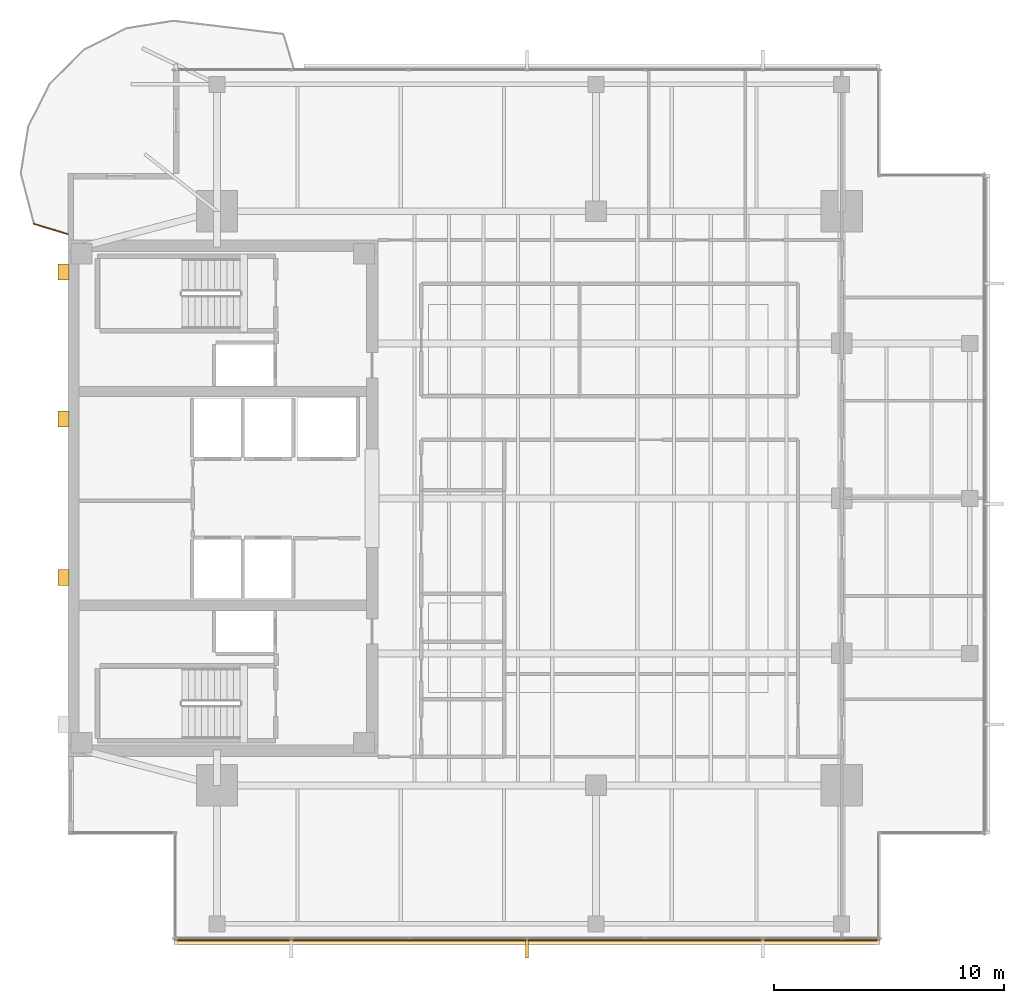
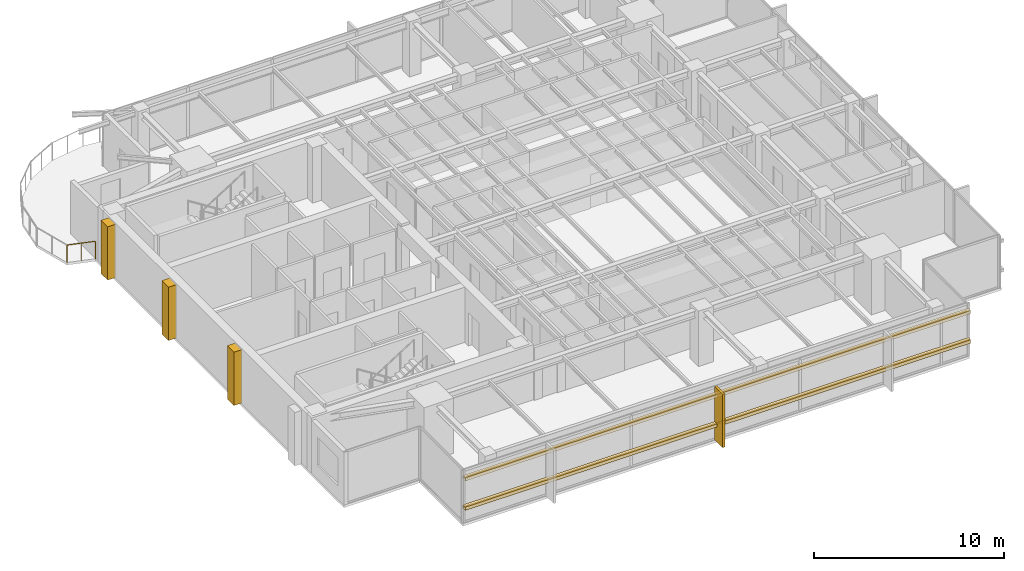
# One storey, part 12 of 14: 6 coverings, 2 shading devices, 1 railing.
"""IFC4 building model written with IfcOpenShell, lengths in metres."""

import ifcopenshell
import ifcopenshell.guid

model = None  # the IFC model being written
_history = None  # IfcOwnerHistory: only IFC2X3 demands one
_inside = {}  # id of a spatial element -> (the spatial element, [elements in it])
_under = {}  # id of a project, library or spatial element -> (it, [spatial elements below it])
_declared = {}  # id of a project -> (the project, [libraries it declares])
_typed = {}  # id of a type object -> (the type object, [elements of that type])
_made_of = {}  # id of a material, layer set ... -> (it, [elements and type objects made of it])


def new_model(schema):
    """Start an empty IFC model of exactly this schema.

    Asked for "IFC4X3", IfcOpenShell would pick the latest addendum, in which some entities
    have other attributes; the version numbers below select the first issue.
    IFC2X3 requires an IfcOwnerHistory on every rooted entity: one is made here for all.
    """
    global model, _history
    if schema == "IFC4X3":
        model = ifcopenshell.file(schema_version=(4, 3, 0, 0))
    else:
        model = ifcopenshell.file(schema=schema)
    _inside.clear()
    _under.clear()
    _declared.clear()
    _typed.clear()
    _made_of.clear()
    _history = None
    if model.schema == "IFC2X3":
        org = make("IfcOrganization", Name="unknown")
        user = make(
            "IfcPersonAndOrganization",
            ThePerson=make("IfcPerson", FamilyName="unknown"),
            TheOrganization=org,
        )
        app = make(
            "IfcApplication",
            ApplicationDeveloper=org,
            Version="unknown",
            ApplicationFullName="unknown",
            ApplicationIdentifier="unknown",
        )
        _history = make(
            "IfcOwnerHistory",
            OwningUser=user,
            OwningApplication=app,
            ChangeAction="ADDED",
            CreationDate=0,
        )
    return model


def make(cls, **values):
    """One entity of the class cls with the attributes given. An attribute that is None is left unset."""
    return model.create_entity(
        cls, **{name: value for name, value in values.items() if value is not None}
    )


def rooted(cls, **values):
    """An entity with a GlobalId (a new one), such as an element, a storey or a relation."""
    return make(cls, GlobalId=ifcopenshell.guid.new(), OwnerHistory=_history, **values)


def si_unit(unit_type, name, prefix=None):
    """IfcSIUnit, for example si_unit("LENGTHUNIT", "METRE", prefix="MILLI")."""
    return make("IfcSIUnit", UnitType=unit_type, Prefix=prefix, Name=name)


def assignment(units):
    """IfcUnitAssignment: the units of a project."""
    return None if units is None else make("IfcUnitAssignment", Units=units)


def point(xyz):
    """IfcCartesianPoint."""
    return None if xyz is None else make("IfcCartesianPoint", Coordinates=xyz)


def direction(xyz):
    """IfcDirection."""
    return None if xyz is None else make("IfcDirection", DirectionRatios=xyz)


def frame(location, z_axis=None, x_axis=None):
    """IfcAxis2Placement3D, a coordinate frame: its origin and axes. An axis left out is left unset."""
    return make(
        "IfcAxis2Placement3D",
        Location=point(location),
        Axis=direction(z_axis),
        RefDirection=direction(x_axis),
    )


def frame_2d(location, x_axis=None):
    """IfcAxis2Placement2D, a coordinate frame in the plane: its origin and x axis."""
    return make(
        "IfcAxis2Placement2D", Location=point(location), RefDirection=direction(x_axis)
    )


def origin():
    """The frame at (0, 0, 0) with its axes left unset."""
    return frame((0.0, 0.0, 0.0))


def origin_2d():
    """The frame at (0, 0) in the plane with its x axis left unset."""
    return frame_2d((0.0, 0.0))


def place(relative_to, where):
    """IfcLocalPlacement: puts the frame where relative to a parent placement (None: the world)."""
    return make(
        "IfcLocalPlacement", PlacementRelTo=relative_to, RelativePlacement=where
    )


def context(
    kind, dimensions, precision=None, world=None, true_north=None, identifier=None
):
    """IfcGeometricRepresentationContext, for example the 3D "Model" context."""
    return make(
        "IfcGeometricRepresentationContext",
        ContextIdentifier=identifier,
        ContextType=kind,
        CoordinateSpaceDimension=dimensions,
        Precision=precision,
        WorldCoordinateSystem=world,
        TrueNorth=true_north,
    )


def subcontext(parent, identifier, kind, view, scale=None):
    """IfcGeometricRepresentationSubContext, for example "Body" below "Model"."""
    return make(
        "IfcGeometricRepresentationSubContext",
        ContextIdentifier=identifier,
        ContextType=kind,
        ParentContext=parent,
        TargetScale=scale,
        TargetView=view,
    )


def project(units=None, contexts=None):
    """IfcProject with its units and contexts."""
    return rooted(
        "IfcProject",
        Name="project",
        RepresentationContexts=contexts,
        UnitsInContext=assignment(units),
    )


def spatial(cls, under=None, at=None, **own):
    """A site, building, storey or space (cls), placed at a placement, below another one or the project."""
    s = rooted(cls, ObjectPlacement=at, **own)
    if under is not None:
        _under.setdefault(under.id(), (under, []))[1].append(s)
    return s


def polyline(points):
    """IfcPolyline through the points."""
    return make("IfcPolyline", Points=[point(p) for p in points])


def profile(cls, at=None, kind="AREA", **sizes):
    """A parametric profile (cls). Its sizes go by their IFC names, for example OverallWidth=200.0."""
    return make(cls, ProfileType=kind, Position=at, **sizes)


def rectangle(**sizes):
    """IfcRectangleProfileDef."""
    return profile("IfcRectangleProfileDef", **sizes)


def circle(**sizes):
    """IfcCircleProfileDef."""
    return profile("IfcCircleProfileDef", **sizes)


def outline(outer, holes=None, kind="AREA"):
    """IfcArbitraryClosedProfileDef: a profile drawn as a closed curve; with holes, ...WithVoids."""
    if holes is None:
        return make("IfcArbitraryClosedProfileDef", ProfileType=kind, OuterCurve=outer)
    return make(
        "IfcArbitraryProfileDefWithVoids",
        ProfileType=kind,
        OuterCurve=outer,
        InnerCurves=holes,
    )


def extrude(swept, where, along, depth):
    """IfcExtrudedAreaSolid: the profile swept, set in the frame where, extruded along a direction by depth."""
    return make(
        "IfcExtrudedAreaSolid",
        SweptArea=swept,
        Position=where,
        ExtrudedDirection=direction(along),
        Depth=depth,
    )


def shape(context_of_items, identifier, shape_type, items):
    """IfcShapeRepresentation: the items that make up one representation, for example the "Body"."""
    return make(
        "IfcShapeRepresentation",
        ContextOfItems=context_of_items,
        RepresentationIdentifier=identifier,
        RepresentationType=shape_type,
        Items=items,
    )


def material(Name=None, Category=None):
    """IfcMaterial."""
    return make("IfcMaterial", Name=Name, Category=Category)


def layer(
    of_material, thickness, ventilated=None, Name=None, Category=None, Priority=None
):
    """IfcMaterialLayer: one layer of a wall or slab, of a material (None: an air gap)."""
    return make(
        "IfcMaterialLayer",
        Material=of_material,
        LayerThickness=thickness,
        IsVentilated=ventilated,
        Name=Name,
        Category=Category,
        Priority=Priority,
    )


def layer_set(layers, Name=None):
    """IfcMaterialLayerSet."""
    return make("IfcMaterialLayerSet", MaterialLayers=layers, LayerSetName=Name)


def material_profile(
    of_material, cross_section, Name=None, Category=None, Priority=None
):
    """IfcMaterialProfile: a cross section and its material."""
    return make(
        "IfcMaterialProfile",
        Name=Name,
        Material=of_material,
        Profile=cross_section,
        Priority=Priority,
        Category=Category,
    )


def profile_set(profiles, Name=None, composite=None):
    """IfcMaterialProfileSet."""
    return make(
        "IfcMaterialProfileSet",
        Name=Name,
        MaterialProfiles=profiles,
        CompositeProfile=composite,
    )


def made_of(thing, what):
    """Note that an element or type object is made of a material, layer set ...; save() writes the relation."""
    if what is not None:
        _made_of.setdefault(what.id(), (what, []))[1].append(thing)
    return thing


def type_object(cls, material=None, **own):
    """A type object (cls), such as IfcWallType, which elements share."""
    return made_of(rooted(cls, **own), material)


def element(
    cls,
    number,
    at=None,
    inside=None,
    cuts=None,
    type_object=None,
    material=None,
    context=None,
    identifier="Body",
    shape_type=None,
    held_by="IfcProductDefinitionShape",
    body=None,
    shapes=None,
    **own,
):
    """One element of the class cls, such as IfcWall. Its Tag is "e" and its number.

    at: its placement. inside: the storey or other place that contains it. cuts: it is an
    opening in that element (IfcRelVoidsElement). A single representation is given by context,
    identifier, shape_type and body (its items); several are given by shapes. held_by: the class
    of the entity that holds the representations. save() writes the other relations.
    """
    e = rooted(cls, Tag="e%d" % number, ObjectPlacement=at, **own)
    if body is not None:
        shapes = [shape(context, identifier, shape_type, body)]
    if shapes is not None:
        e.Representation = make(held_by, Representations=shapes)
    if inside is not None:
        _inside.setdefault(inside.id(), (inside, []))[1].append(e)
    if cuts is not None:
        rooted(
            "IfcRelVoidsElement", RelatingBuildingElement=cuts, RelatedOpeningElement=e
        )
    if type_object is not None:
        _typed.setdefault(type_object.id(), (type_object, []))[1].append(e)
    return made_of(e, material)


def aggregate(whole, parts):
    """IfcRelAggregates: a whole, such as a stair, and the parts it consists of."""
    return rooted("IfcRelAggregates", RelatingObject=whole, RelatedObjects=parts)


def save(model, path):
    """Write the relations noted so far, then the file.

    IfcRelAggregates (storeys below a building ...), IfcRelContainedInSpatialStructure (elements
    in a storey), IfcRelDefinesByType, IfcRelAssociatesMaterial and IfcRelDeclares: one each for
    every whole, place, type object, material and project.
    """
    for whole, parts in _under.values():
        aggregate(whole, parts)
    for where, things in _inside.values():
        rooted(
            "IfcRelContainedInSpatialStructure",
            RelatedElements=things,
            RelatingStructure=where,
        )
    for kind, things in _typed.values():
        rooted("IfcRelDefinesByType", RelatedObjects=things, RelatingType=kind)
    for what, things in _made_of.values():
        rooted("IfcRelAssociatesMaterial", RelatedObjects=things, RelatingMaterial=what)
    for by, libraries in _declared.values():
        rooted("IfcRelDeclares", RelatingContext=by, RelatedDefinitions=libraries)
    model.write(path)


model = new_model("IFC4")

# Units and contexts
model_context = context("Model", 3, precision=1e-05, world=origin(), true_north=direction((0.0, 1.0)))
body_context = subcontext(model_context, "Body", "Model", "MODEL_VIEW")
ifc_project = project(units=[si_unit("LENGTHUNIT", "METRE"), si_unit("AREAUNIT", "SQUARE_METRE"), si_unit("VOLUMEUNIT", "CUBIC_METRE"), si_unit("PLANEANGLEUNIT", "RADIAN"), si_unit("MASSUNIT", "GRAM", prefix="KILO")], contexts=[model_context])

# Site, building, storey
site_placement = place(None, origin())
site = spatial("IfcSite", under=ifc_project, at=site_placement, CompositionType="ELEMENT")
building_placement = place(site_placement, origin())
building = spatial("IfcBuilding", under=site, at=building_placement, Name="Kinhvarn Gate Tower", CompositionType="ELEMENT")
storey_placement = place(building_placement, frame((0.0, 0.0, 281.199951171875)))
storey = spatial("IfcBuildingStorey", under=building, at=storey_placement, Name="L75", CompositionType="ELEMENT", Elevation=281.199951171875)

# Coverings
ifc_material_1 = material(Name="Fired architectural terracotta", Category="masonry")
ifc_layer_1 = layer(ifc_material_1, 0.239990234375)
ifc_layer_set_1 = layer_set([ifc_layer_1], Name="Fired architectural terracotta")
covering_type_1 = type_object("IfcCoveringType", Name="COV-BAG-220", PredefinedType="CLADDING", material=ifc_layer_set_1)
covering_1_placement = place(storey_placement, frame((0.0, 0.0, 0.93994140625)))
element("IfcCovering", 1, at=covering_1_placement, inside=storey, type_object=covering_type_1, Name="Terracotta Horizontal Sunscreen Band TBG-220 (L75)", PredefinedType="CLADDING", context=body_context, shape_type="SweptSolid", body=[
    extrude(outline(polyline([(9.139892578125, 6.070068359375), (39.860107421875, 6.070068359375), (39.860107421875, 5.830078125), (9.139892578125, 5.830078125), (9.139892578125, 6.070068359375)])), origin(), (0.0, 0.0, 1.0), 0.22021484375),
])
covering_2_placement = place(storey_placement, frame((0.0, 0.0, 2.830078125)))
element("IfcCovering", 2, at=covering_2_placement, inside=storey, type_object=covering_type_1, Name="Terracotta Horizontal Sunscreen Band TBG-220 (L75)", PredefinedType="CLADDING", context=body_context, shape_type="SweptSolid", body=[
    extrude(outline(polyline([(9.139892578125, 6.070068359375), (39.860107421875, 6.070068359375), (39.860107421875, 5.830078125), (9.139892578125, 5.830078125), (9.139892578125, 6.070068359375)])), origin(), (0.0, 0.0, 1.0), 0.219970703125),
])
ifc_layer_2 = layer(ifc_material_1, 0.139892578125)
ifc_layer_set_2 = layer_set([ifc_layer_2], Name="Fired architectural terracotta")
covering_type_2 = type_object("IfcCoveringType", Name="COV-FIN-850", PredefinedType="CLADDING", material=ifc_layer_set_2)
covering_3_placement = place(storey_placement, frame((0.0, 0.0, -0.02001953125)))
element("IfcCovering", 3, at=covering_3_placement, inside=storey, type_object=covering_type_2, Name="Vertical Terracotta Expressive Fin TFN-850 (L75)", PredefinedType="CLADDING", context=body_context, shape_type="SweptSolid", body=[
    extrude(outline(polyline([(24.429931640625, 6.080078125), (24.570068359375, 6.080078125), (24.570068359375, 5.22998046875), (24.429931640625, 5.22998046875), (24.429931640625, 6.080078125)])), origin(), (0.0, 0.0, 1.0), 3.43017578125),
])
ifc_material_2 = material(Name="Precast white architectural concrete C40/50", Category="concrete")
ifc_layer_3 = layer(ifc_material_2, 0.47998046875)
ifc_layer_set_3 = layer_set([ifc_layer_3], Name="Precast white architectural concrete C40/50")
covering_type_3 = type_object("IfcCoveringType", Name="COV-RIB-450", PredefinedType="CLADDING", material=ifc_layer_set_3)
covering_4_placement = place(storey_placement, frame((0.0, 0.0, -0.02001953125)))
element("IfcCovering", 4, at=covering_4_placement, inside=storey, type_object=covering_type_3, Name="West Core Sculptural Concrete Relief Rib CRB-450 (L75)", PredefinedType="CLADDING", context=body_context, shape_type="SweptSolid", body=[
    extrude(outline(polyline([(4.080078125, 21.449951171875), (4.56005859375, 21.449951171875), (4.56005859375, 22.14990234375), (4.080078125, 22.14990234375), (4.080078125, 21.449951171875)])), origin(), (0.0, 0.0, 1.0), 3.43017578125),
])
covering_5_placement = place(storey_placement, frame((0.0, 0.0, -0.02001953125)))
element("IfcCovering", 5, at=covering_5_placement, inside=storey, type_object=covering_type_3, Name="West Core Sculptural Concrete Relief Rib CRB-450 (L75)", PredefinedType="CLADDING", context=body_context, shape_type="SweptSolid", body=[
    extrude(outline(polyline([(4.080078125, 28.35009765625), (4.56005859375, 28.35009765625), (4.56005859375, 29.050048828125), (4.080078125, 29.050048828125), (4.080078125, 28.35009765625)])), origin(), (0.0, 0.0, 1.0), 3.43017578125),
])
covering_6_placement = place(storey_placement, frame((0.0, 0.0, -0.02001953125)))
element("IfcCovering", 6, at=covering_6_placement, inside=storey, type_object=covering_type_3, Name="West Core Sculptural Concrete Relief Rib CRB-450 (L75)", PredefinedType="CLADDING", context=body_context, shape_type="SweptSolid", body=[
    extrude(outline(polyline([(4.080078125, 34.75), (4.56005859375, 34.75), (4.56005859375, 35.449951171875), (4.080078125, 35.449951171875), (4.080078125, 34.75)])), origin(), (0.0, 0.0, 1.0), 3.43017578125),
])

# Railing
ifc_material_3 = material(Name="Clear low-e double glazing", Category="glass")
railing_type = type_object("IfcRailingType", Name="RL-BAL-1150", PredefinedType="BALUSTRADE", material=ifc_material_3)
railing_placement = place(storey_placement, frame((3.019775390625, 37.201904296875, 0.0)))
element("IfcRailing", 7, at=railing_placement, inside=storey, type_object=railing_type, Name="S-Carve Balcony Guardrail Seg 9 (L75)", PredefinedType="BALUSTRADE", context=body_context, shape_type="SweptSolid", body=[
    extrude(circle(Radius=0.02392578125, at=origin_2d()), frame((0.0, 0.0, 1.1259765625), z_axis=(0.956773203785, -0.290835067553, 0.0), x_axis=(0.290835067553, 0.956773203785, 0.0)), (0.0, 0.0, 1.0), 1.547119140625),
    extrude(circle(Radius=0.02099609375, at=origin_2d()), origin(), (0.0, 0.0, 1.0), 1.101806640625),
    extrude(circle(Radius=0.02099609375, at=origin_2d()), frame((0.740234375, -0.22509765625, 0.0)), (0.0, 0.0, 1.0), 1.101806640625),
    extrude(circle(Radius=0.02099609375, at=origin_2d()), frame((1.480224609375, -0.449951171875, 0.0)), (0.0, 0.0, 1.0), 1.101806640625),
])

# Shading devices
ifc_material_profile = material_profile(ifc_material_1, rectangle(XDim=0.050048828125, YDim=0.1201171875, at=origin_2d()), Name="TC 50x120")
ifc_profile_set = profile_set([ifc_material_profile], Name="Fired architectural terracotta")
shading_device_type = type_object("IfcShadingDeviceType", Name="SHD-BAG-140", PredefinedType="USERDEFINED", material=ifc_profile_set)
for number, where, z_axis, x_axis, name in (
    (8, (9.139892578125, 6.0, 1.050048828125), (1.0, 0.0, 0.0), (0.0, 1.0, 0.0), "Upper Tower Terracotta Baguette Screen Rod 50x120 mm (L75)"),
    (9, (9.139892578125, 6.0, 2.93994140625), (1.0, 0.0, 0.0), (0.0, 1.0, 0.0), "Upper Tower Terracotta Baguette Screen Rod 50x120 mm (L75)"),
):
    element("IfcShadingDevice", number, at=place(storey_placement, frame(where, z_axis=z_axis, x_axis=x_axis)), inside=storey, type_object=shading_device_type, Name=name, ObjectType="BAGUETTE", PredefinedType="USERDEFINED", context=body_context, shape_type="SweptSolid", body=[
        extrude(rectangle(XDim=0.050048828125, YDim=0.1201171875, at=origin_2d()), origin(), (0.0, 0.0, 1.0), 30.72021484375),
    ])

save(model, "model.ifc")
